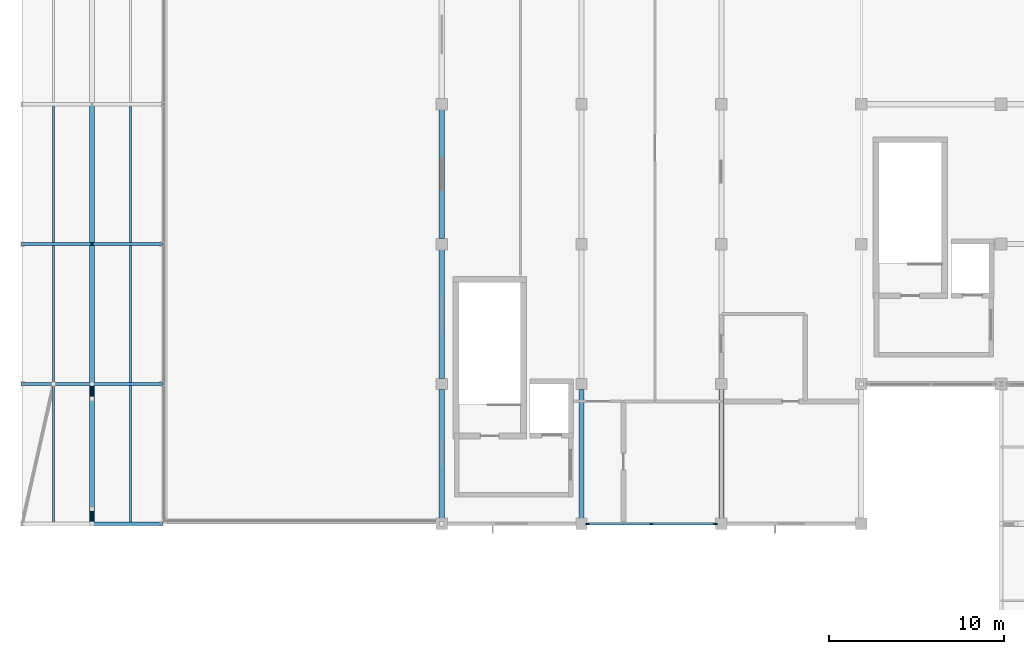
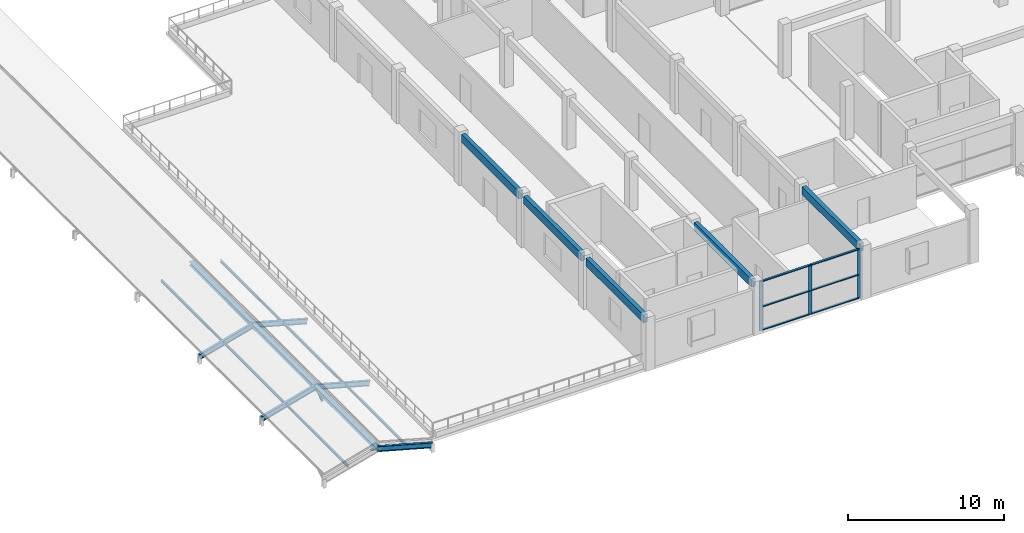
# One storey, part 5 of 67: 20 members, 10 beams, 1 element without a shape of its own.
"""IFC4 building model written with IfcOpenShell, lengths in metres."""

from ifc_helpers import new_model, si_unit, direction, frame, origin, origin_2d, place, context, subcontext, project, spatial, rectangle, hollow_circle, i_section, extrude, material, material_profile, profile_set, type_object, element, aggregate, save


model = new_model("IFC4")

# Units and contexts
model_context = context("Model", 3, precision=1e-05, world=origin(), true_north=direction((0.0, 1.0)))
body_context = subcontext(model_context, "Body", "Model", "MODEL_VIEW")
ifc_project = project(units=[si_unit("LENGTHUNIT", "METRE"), si_unit("AREAUNIT", "SQUARE_METRE"), si_unit("VOLUMEUNIT", "CUBIC_METRE"), si_unit("PLANEANGLEUNIT", "RADIAN"), si_unit("MASSUNIT", "GRAM", prefix="KILO")], contexts=[model_context])

# Site, building, storey
site_placement = place(None, origin())
site = spatial("IfcSite", under=ifc_project, at=site_placement, CompositionType="ELEMENT")
building_placement = place(site_placement, origin())
building = spatial("IfcBuilding", under=site, at=building_placement, Name="Kenh Van Central Station", CompositionType="ELEMENT")
storey_placement = place(building_placement, frame((0.0, 0.0, 10.800048828125)))
storey = spatial("IfcBuildingStorey", under=building, at=storey_placement, Name="L02", CompositionType="ELEMENT", Elevation=10.800048828125)

# Beams
ifc_material_1 = material(Name="Steel S355", Category="steel")
ifc_material_profile_1 = material_profile(ifc_material_1, i_section(OverallWidth=0.179931640625, OverallDepth=0.39990234375, WebThickness=0.008544921875, FlangeThickness=0.013427734375, FilletRadius=0.02099609375, at=origin_2d()), Name="IPE 400")
ifc_profile_set_1 = profile_set([ifc_material_profile_1], Name="Steel S355")
beam_type_1 = type_object("IfcBeamType", Name="BM-STL-IPE400", PredefinedType="BEAM", material=ifc_profile_set_1)
for number, where, z_axis, x_axis, name in (
    (1, (4.0, 8.0, 0.670654296875), (0.964214419937, 0.0, -0.265123654896), (0.0, 1.0, 0.0), "L02 roof rafter 129"),
    (2, (0.0, 16.0, -0.42919921875), (0.964214419937, 0.0, 0.265123654896), (0.0, 1.0, 0.0), "L02 roof rafter 130"),
    (3, (4.0, 16.0, 0.670654296875), (0.964214419937, 0.0, -0.265123654896), (0.0, 1.0, 0.0), "L02 roof rafter 131"),
    (4, (0.0, 24.0, -0.42919921875), (0.964214419937, 0.0, 0.265123654896), (0.0, 1.0, 0.0), "L02 roof rafter 132"),
    (5, (4.0, 24.0, 0.670654296875), (0.964214419937, 0.0, -0.265123654896), (0.0, 1.0, 0.0), "L02 roof rafter 133"),
):
    element("IfcBeam", number, at=place(storey_placement, frame(where, z_axis=z_axis, x_axis=x_axis)), inside=storey, type_object=beam_type_1, Name=name, PredefinedType="BEAM", context=body_context, shape_type="SweptSolid", body=[
        extrude(i_section(OverallWidth=0.179931640625, OverallDepth=0.39990234375, WebThickness=0.008544921875, FlangeThickness=0.013427734375, FilletRadius=0.02099609375, at=origin_2d()), origin(), (0.0, 0.0, 1.0), 4.1484375),
    ])

# Curtain wall, members
ifc_material_2 = material(Name="Champagne anodised aluminium", Category="aluminium")
curtain_wall_type = type_object("IfcCurtainWallType", Name="CW-RETL-B", PredefinedType="NOTDEFINED", material=ifc_material_2)
curtain_wall_placement = place(storey_placement, origin())
curtain_wall = element("IfcCurtainWall", 6, at=curtain_wall_placement, inside=storey, type_object=curtain_wall_type, Name="L02 curtain wall 180", PredefinedType="NOTDEFINED")
ifc_material_profile_2 = material_profile(ifc_material_2, rectangle(XDim=0.0849609375, YDim=0.23193359375, at=origin_2d()), Name="AL 85x232")
ifc_profile_set_2 = profile_set([ifc_material_profile_2], Name="Champagne anodised aluminium")
member_type_1 = type_object("IfcMemberType", Name="CWM-65x160", PredefinedType="MULLION", material=ifc_profile_set_2)
member_1_placement = place(storey_placement, frame((32.367431640625, 8.0, 0.0), z_axis=(0.0, 0.0, 1.0), x_axis=(0.0, 1.0, 0.0)))
member_1 = element("IfcMember", 7, at=member_1_placement, type_object=member_type_1, Name="CW-06 mullion 1", PredefinedType="MULLION", context=body_context, shape_type="SweptSolid", body=[
    extrude(rectangle(XDim=0.0849609375, YDim=0.23193359375, at=origin_2d()), origin(), (0.0, 0.0, 1.0), 3.8798828125),
])
member_2_placement = place(storey_placement, frame((36.0, 8.0, 0.0), z_axis=(0.0, 0.0, 1.0), x_axis=(0.0, 1.0, 0.0)))
member_2 = element("IfcMember", 8, at=member_2_placement, type_object=member_type_1, Name="CW-06 mullion 2", PredefinedType="MULLION", context=body_context, shape_type="SweptSolid", body=[
    extrude(rectangle(XDim=0.0849609375, YDim=0.23193359375, at=origin_2d()), origin(), (0.0, 0.0, 1.0), 3.8798828125),
])
member_3_placement = place(storey_placement, frame((39.632568359375, 8.0, 0.0), z_axis=(0.0, 0.0, 1.0), x_axis=(0.0, 1.0, 0.0)))
member_3 = element("IfcMember", 9, at=member_3_placement, type_object=member_type_1, Name="CW-06 mullion 3", PredefinedType="MULLION", context=body_context, shape_type="SweptSolid", body=[
    extrude(rectangle(XDim=0.0849609375, YDim=0.23193359375, at=origin_2d()), origin(), (0.0, 0.0, 1.0), 3.8798828125),
])
ifc_material_profile_3 = material_profile(ifc_material_2, rectangle(XDim=0.155029296875, YDim=0.072021484375, at=origin_2d()), Name="AL 155x72")
ifc_profile_set_3 = profile_set([ifc_material_profile_3], Name="Champagne anodised aluminium")
member_type_2 = type_object("IfcMemberType", Name="CWT-120x60", PredefinedType="USERDEFINED", material=ifc_profile_set_3)
member_4_placement = place(storey_placement, frame((32.409912109375, 8.0, 0.035888671875), z_axis=(1.0, 0.0, 0.0), x_axis=(0.0, 1.0, 0.0)))
member_4 = element("IfcMember", 10, at=member_4_placement, type_object=member_type_2, Name="CW-06 transom 1.1", ObjectType="TRANSOM", PredefinedType="USERDEFINED", context=body_context, shape_type="SweptSolid", body=[
    extrude(rectangle(XDim=0.155029296875, YDim=0.072021484375, at=origin_2d()), origin(), (0.0, 0.0, 1.0), 3.547607421875),
])
member_5_placement = place(storey_placement, frame((32.409912109375, 8.0, 1.8623046875), z_axis=(1.0, 0.0, 0.0), x_axis=(0.0, 1.0, 0.0)))
member_5 = element("IfcMember", 11, at=member_5_placement, type_object=member_type_2, Name="CW-06 transom 1.2", ObjectType="TRANSOM", PredefinedType="USERDEFINED", context=body_context, shape_type="SweptSolid", body=[
    extrude(rectangle(XDim=0.155029296875, YDim=0.072021484375, at=origin_2d()), origin(), (0.0, 0.0, 1.0), 3.547607421875),
])
member_6_placement = place(storey_placement, frame((32.409912109375, 8.0, 3.843994140625), z_axis=(1.0, 0.0, 0.0), x_axis=(0.0, 1.0, 0.0)))
member_6 = element("IfcMember", 12, at=member_6_placement, type_object=member_type_2, Name="CW-06 transom 1.3", ObjectType="TRANSOM", PredefinedType="USERDEFINED", context=body_context, shape_type="SweptSolid", body=[
    extrude(rectangle(XDim=0.155029296875, YDim=0.072021484375, at=origin_2d()), origin(), (0.0, 0.0, 1.0), 3.547607421875),
])
member_7_placement = place(storey_placement, frame((36.04248046875, 8.0, 0.035888671875), z_axis=(1.0, 0.0, 0.0), x_axis=(0.0, 1.0, 0.0)))
member_7 = element("IfcMember", 13, at=member_7_placement, type_object=member_type_2, Name="CW-06 transom 2.1", ObjectType="TRANSOM", PredefinedType="USERDEFINED", context=body_context, shape_type="SweptSolid", body=[
    extrude(rectangle(XDim=0.155029296875, YDim=0.072021484375, at=origin_2d()), origin(), (0.0, 0.0, 1.0), 3.547607421875),
])
member_8_placement = place(storey_placement, frame((36.04248046875, 8.0, 1.8623046875), z_axis=(1.0, 0.0, 0.0), x_axis=(0.0, 1.0, 0.0)))
member_8 = element("IfcMember", 14, at=member_8_placement, type_object=member_type_2, Name="CW-06 transom 2.2", ObjectType="TRANSOM", PredefinedType="USERDEFINED", context=body_context, shape_type="SweptSolid", body=[
    extrude(rectangle(XDim=0.155029296875, YDim=0.072021484375, at=origin_2d()), origin(), (0.0, 0.0, 1.0), 3.547607421875),
])
member_9_placement = place(storey_placement, frame((36.04248046875, 8.0, 3.843994140625), z_axis=(1.0, 0.0, 0.0), x_axis=(0.0, 1.0, 0.0)))
member_9 = element("IfcMember", 15, at=member_9_placement, type_object=member_type_2, Name="CW-06 transom 2.3", ObjectType="TRANSOM", PredefinedType="USERDEFINED", context=body_context, shape_type="SweptSolid", body=[
    extrude(rectangle(XDim=0.155029296875, YDim=0.072021484375, at=origin_2d()), origin(), (0.0, 0.0, 1.0), 3.547607421875),
])
aggregate(curtain_wall, [member_1, member_2, member_3, member_4, member_5, member_6, member_7, member_8, member_9])

# Members
ifc_material_profile_4 = material_profile(ifc_material_1, i_section(OverallWidth=0.10009765625, OverallDepth=0.199951171875, WebThickness=0.005615234375, FlangeThickness=0.008544921875, FilletRadius=0.011962890625, at=origin_2d()), Name="IPE 200")
ifc_profile_set_4 = profile_set([ifc_material_profile_4], Name="Steel S355")
member_type_3 = type_object("IfcMemberType", Name="MEM-PUR-IPE200", PredefinedType="PURLIN", material=ifc_profile_set_4)
for number, where, z_axis, x_axis, name in (
    (16, (1.800048828125, 8.0, 0.065673828125), (0.0, 1.0, 0.0), (-1.0, 0.0, 0.0), "L02 roof purlin 053"),
    (17, (1.800048828125, 16.0, 0.065673828125), (0.0, 1.0, 0.0), (-1.0, 0.0, 0.0), "L02 roof purlin 054"),
    (18, (1.800048828125, 24.0, 0.065673828125), (0.0, 1.0, 0.0), (-1.0, 0.0, 0.0), "L02 roof purlin 055"),
    (19, (6.199951171875, 8.0, 0.065673828125), (0.0, 1.0, 0.0), (-1.0, 0.0, 0.0), "L02 roof purlin 060"),
    (20, (6.199951171875, 16.0, 0.065673828125), (0.0, 1.0, 0.0), (-1.0, 0.0, 0.0), "L02 roof purlin 061"),
    (21, (6.199951171875, 24.0, 0.065673828125), (0.0, 1.0, 0.0), (-1.0, 0.0, 0.0), "L02 roof purlin 062"),
):
    element("IfcMember", number, at=place(storey_placement, frame(where, z_axis=z_axis, x_axis=x_axis)), inside=storey, type_object=member_type_3, Name=name, PredefinedType="PURLIN", context=body_context, shape_type="SweptSolid", body=[
        extrude(i_section(OverallWidth=0.10009765625, OverallDepth=0.199951171875, WebThickness=0.005615234375, FlangeThickness=0.008544921875, FilletRadius=0.011962890625, at=origin_2d()), origin(), (0.0, 0.0, 1.0), 8.0),
    ])
ifc_material_profile_5 = material_profile(ifc_material_1, hollow_circle(Radius=0.084228515625, WallThickness=0.008056640625, at=origin_2d()), Name="CHS 168.3x8")
ifc_profile_set_5 = profile_set([ifc_material_profile_5], Name="Steel S355")
member_type_4 = type_object("IfcMemberType", Name="MEM-ROOF-BRC168", PredefinedType="BRACE", material=ifc_profile_set_5)
for number, where, z_axis, x_axis, name in (
    (22, (4.0, 8.85009765625, 0.05078125), (0.0, -0.808002927302, 0.589178469966), (1.0, 0.0, 0.0), "L02 roof truss web diagonal 037"),
    (23, (4.0, 15.14990234375, 0.05078125), (0.0, 0.808002927302, 0.589178469966), (-1.0, 0.0, 0.0), "L02 roof truss web diagonal 038"),
):
    element("IfcMember", number, at=place(storey_placement, frame(where, z_axis=z_axis, x_axis=x_axis)), inside=storey, type_object=member_type_4, Name=name, PredefinedType="BRACE", context=body_context, shape_type="SweptSolid", body=[
        extrude(hollow_circle(Radius=0.084228515625, WallThickness=0.008056640625, at=origin_2d()), origin(), (0.0, 0.0, 1.0), 1.052001953125),
    ])
ifc_material_profile_6 = material_profile(ifc_material_1, i_section(OverallWidth=0.300048828125, OverallDepth=0.2900390625, WebThickness=0.008544921875, FlangeThickness=0.013916015625, FilletRadius=0.027099609375, at=origin_2d()), Name="HEA 300")
ifc_profile_set_6 = profile_set([ifc_material_profile_6], Name="Steel S355")
member_type_5 = type_object("IfcMemberType", Name="MEM-ROOF-HEA300", PredefinedType="CHORD", material=ifc_profile_set_6)
for number, where, z_axis, x_axis, name in (
    (24, (4.0, 8.0, 0.670654296875), (0.0, 1.0, 0.0), (-1.0, 0.0, 0.0), "L02 roof ridge chord 121"),
    (25, (4.0, 16.0, 0.670654296875), (0.0, 1.0, 0.0), (-1.0, 0.0, 0.0), "L02 roof ridge chord 122"),
    (26, (4.0, 24.0, 0.670654296875), (0.0, 1.0, 0.0), (-1.0, 0.0, 0.0), "L02 roof ridge chord 123"),
):
    element("IfcMember", number, at=place(storey_placement, frame(where, z_axis=z_axis, x_axis=x_axis)), inside=storey, type_object=member_type_5, Name=name, PredefinedType="CHORD", context=body_context, shape_type="SweptSolid", body=[
        extrude(i_section(OverallWidth=0.300048828125, OverallDepth=0.2900390625, WebThickness=0.008544921875, FlangeThickness=0.013916015625, FilletRadius=0.027099609375, at=origin_2d()), origin(), (0.0, 0.0, 1.0), 8.0),
    ])

# Beams
ifc_material_3 = material(Name="Concrete C35/45", Category="concrete")
ifc_material_profile_7 = material_profile(ifc_material_3, rectangle(XDim=0.300048828125, YDim=0.6201171875, at=origin_2d()), Name="RC 300x620")
ifc_profile_set_7 = profile_set([ifc_material_profile_7], Name="Concrete C35/45")
beam_type_2 = type_object("IfcBeamType", Name="SPD-RC-300x620", PredefinedType="SPANDREL", material=ifc_profile_set_7)
for number, where, z_axis, x_axis, name in (
    (27, (24.0, 8.31494140625, 3.669921875), (0.0, 1.0, 0.0), (-1.0, 0.0, 0.0), "L02 beam 0998"),
    (28, (24.0, 16.31494140625, 3.669921875), (0.0, 1.0, 0.0), (-1.0, 0.0, 0.0), "L02 beam 0999"),
    (29, (24.0, 24.31494140625, 3.669921875), (0.0, 1.0, 0.0), (-1.0, 0.0, 0.0), "L02 beam 1000"),
    (30, (32.0, 8.31494140625, 3.669921875), (0.0, 1.0, 0.0), (-1.0, 0.0, 0.0), "L02 beam 1005"),
    (31, (40.0, 8.31494140625, 3.669921875), (0.0, 1.0, 0.0), (-1.0, 0.0, 0.0), "L02 beam 1011"),
):
    element("IfcBeam", number, at=place(storey_placement, frame(where, z_axis=z_axis, x_axis=x_axis)), inside=storey, type_object=beam_type_2, Name=name, PredefinedType="SPANDREL", context=body_context, shape_type="SweptSolid", body=[
        extrude(rectangle(XDim=0.300048828125, YDim=0.6201171875, at=origin_2d()), origin(), (0.0, 0.0, 1.0), 7.3701171875),
    ])

save(model, "model.ifc")
